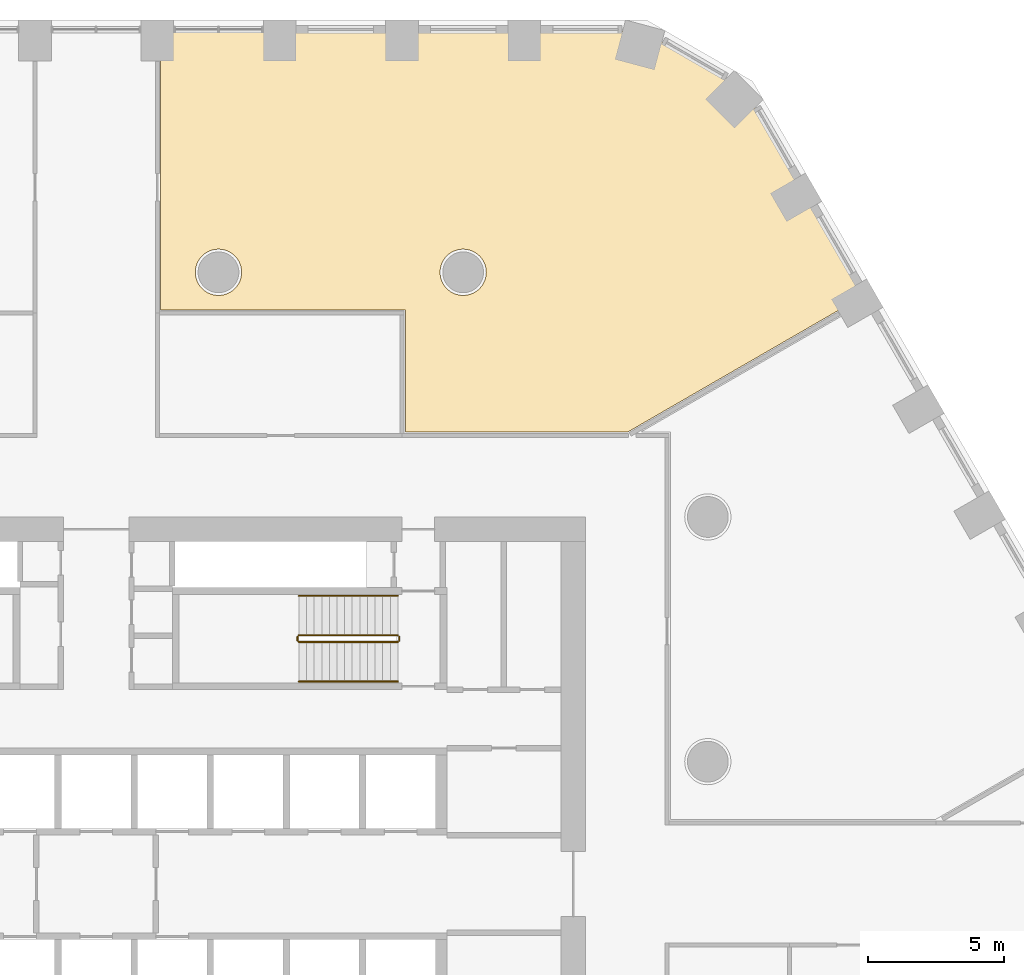
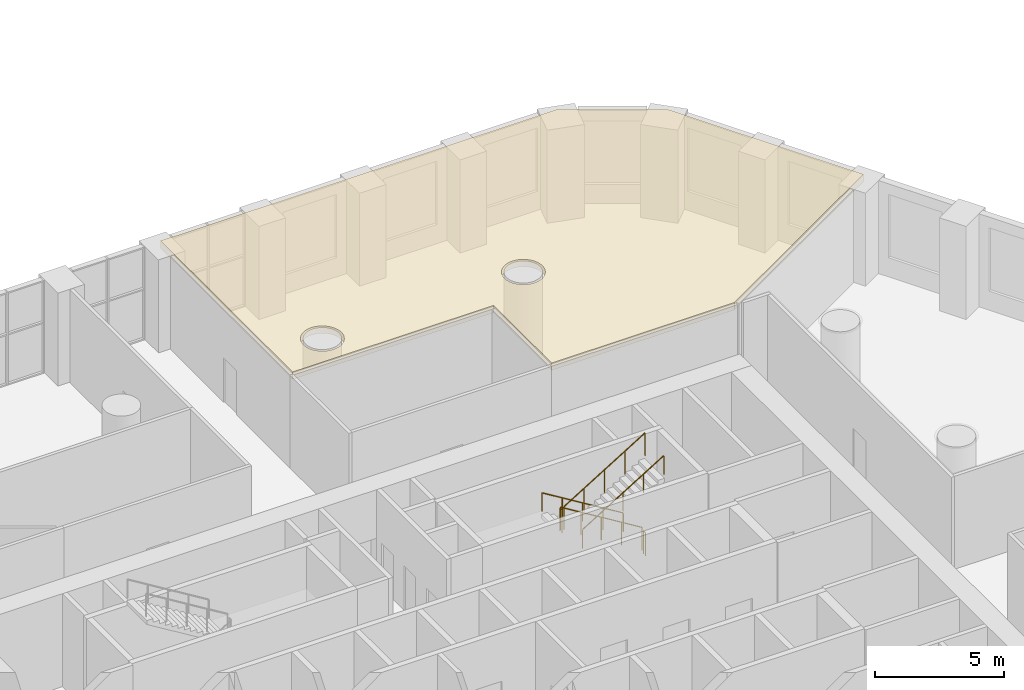
# One storey, part 21 of 26: 6 railings, 1 covering.
"""IFC4 building model written with IfcOpenShell, lengths in metres."""

from ifc_helpers import new_model, si_unit, direction, frame, origin, origin_2d, place, context, subcontext, project, spatial, polyline, circle, outline, extrude, material, layer, layer_set, type_object, element, save


model = new_model("IFC4")

# Units and contexts
model_context = context("Model", 3, precision=1e-05, world=origin(), true_north=direction((0.0, 1.0)))
body_context = subcontext(model_context, "Body", "Model", "MODEL_VIEW")
ifc_project = project(units=[si_unit("LENGTHUNIT", "METRE"), si_unit("AREAUNIT", "SQUARE_METRE"), si_unit("VOLUMEUNIT", "CUBIC_METRE"), si_unit("PLANEANGLEUNIT", "RADIAN"), si_unit("MASSUNIT", "GRAM", prefix="KILO")], contexts=[model_context])

# Site, building, storey
site_placement = place(None, origin())
site = spatial("IfcSite", under=ifc_project, at=site_placement, CompositionType="ELEMENT")
building_placement = place(site_placement, origin())
building = spatial("IfcBuilding", under=site, at=building_placement, Name="Dhurran Vertical Campus", CompositionType="ELEMENT")
storey_placement = place(building_placement, frame((0.0, 0.0, 15.60009765625)))
storey = spatial("IfcBuildingStorey", under=building, at=storey_placement, Name="L03", CompositionType="ELEMENT", Elevation=15.60009765625)

# Railings
ifc_material_1 = material(Name="Stainless steel balustrade", Category="steel")
railing_type_1 = type_object("IfcRailingType", Name="co-RL-GUARD-1100", PredefinedType="GUARDRAIL", material=ifc_material_1)
railing_1_placement = place(storey_placement, frame((11.10009765625, 9.14990234375, 0.17138671875)))
element("IfcRailing", 1, at=railing_1_placement, inside=storey, type_object=railing_type_1, Name="L03 ST2 stair guard 1", PredefinedType="GUARDRAIL", context=body_context, shape_type="SweptSolid", body=[
    extrude(circle(Radius=0.02392578125, at=origin_2d()), frame((0.0, 0.0, 1.076171875), z_axis=(-0.852865859571, 0.0, 0.52213008492), x_axis=(0.0, -1.0, 0.0)), (0.0, 0.0, 1.0), 4.26806640625),
    extrude(circle(Radius=0.02099609375, at=origin_2d()), origin(), (0.0, 0.0, 1.0), 1.052001953125),
    extrude(circle(Radius=0.02099609375, at=origin_2d()), frame((-0.91015625, 0.0, 0.55712890625)), (0.0, 0.0, 1.0), 1.052001953125),
    extrude(circle(Radius=0.02099609375, at=origin_2d()), frame((-1.820068359375, 0.0, 1.1142578125)), (0.0, 0.0, 1.0), 1.052001953125),
    extrude(circle(Radius=0.02099609375, at=origin_2d()), frame((-2.72998046875, 0.0, 1.67138671875)), (0.0, 0.0, 1.0), 1.052001953125),
    extrude(circle(Radius=0.02099609375, at=origin_2d()), frame((-3.64013671875, 0.0, 2.228515625)), (0.0, 0.0, 1.0), 1.052001953125),
])
railing_2_placement = place(storey_placement, frame((7.409912109375, 9.10009765625, 2.39990234375)))
element("IfcRailing", 2, at=railing_2_placement, inside=storey, type_object=railing_type_1, Name="L03 ST2 stair guard 2", PredefinedType="GUARDRAIL", context=body_context, shape_type="SweptSolid", body=[
    extrude(circle(Radius=0.02392578125, at=origin_2d()), frame((0.0, 0.0, 1.076171875), z_axis=(0.0, -1.0, 0.0), x_axis=(1.0, 0.0, 0.0)), (0.0, 0.0, 1.0), 0.150146484375),
    extrude(circle(Radius=0.02099609375, at=origin_2d()), origin(), (0.0, 0.0, 1.0), 1.052001953125),
    extrude(circle(Radius=0.02099609375, at=origin_2d()), frame((0.0, -0.150146484375, 0.0)), (0.0, 0.0, 1.0), 1.052001953125),
])
railing_3_placement = place(storey_placement, frame((7.4599609375, 8.89990234375, 2.5712890625)))
element("IfcRailing", 3, at=railing_3_placement, inside=storey, type_object=railing_type_1, Name="L03 ST2 stair guard 3", PredefinedType="GUARDRAIL", context=body_context, shape_type="SweptSolid", body=[
    extrude(circle(Radius=0.02392578125, at=origin_2d()), frame((0.0, 0.0, 1.076171875), z_axis=(0.852865859571, 0.0, 0.52213008492), x_axis=(0.0, 1.0, 0.0)), (0.0, 0.0, 1.0), 4.26806640625),
    extrude(circle(Radius=0.02099609375, at=origin_2d()), origin(), (0.0, 0.0, 1.0), 1.052001953125),
    extrude(circle(Radius=0.02099609375, at=origin_2d()), frame((0.91015625, 0.0, 0.55712890625)), (0.0, 0.0, 1.0), 1.052001953125),
    extrude(circle(Radius=0.02099609375, at=origin_2d()), frame((1.820068359375, 0.0, 1.1142578125)), (0.0, 0.0, 1.0), 1.052001953125),
    extrude(circle(Radius=0.02099609375, at=origin_2d()), frame((2.72998046875, 0.0, 1.67138671875)), (0.0, 0.0, 1.0), 1.052001953125),
    extrude(circle(Radius=0.02099609375, at=origin_2d()), frame((3.64013671875, 0.0, 2.228515625)), (0.0, 0.0, 1.0), 1.052001953125),
])
railing_4_placement = place(storey_placement, frame((11.14990234375, 9.10009765625, 0.0)))
element("IfcRailing", 4, at=railing_4_placement, inside=storey, type_object=railing_type_1, Name="L03 ST2 stair guard 4", PredefinedType="GUARDRAIL", context=body_context, shape_type="SweptSolid", body=[
    extrude(circle(Radius=0.02392578125, at=origin_2d()), frame((0.0, 0.0, 1.076171875), z_axis=(0.0, -1.0, 0.0), x_axis=(1.0, 0.0, 0.0)), (0.0, 0.0, 1.0), 0.150146484375),
    extrude(circle(Radius=0.02099609375, at=origin_2d()), origin(), (0.0, 0.0, 1.0), 1.052001953125),
    extrude(circle(Radius=0.02099609375, at=origin_2d()), frame((0.0, -0.150146484375, 0.0)), (0.0, 0.0, 1.0), 1.052001953125),
])
ifc_material_2 = material(Name="Stainless steel handrail", Category="steel")
railing_type_2 = type_object("IfcRailingType", Name="co-RL-HANDRAIL-900", PredefinedType="HANDRAIL", material=ifc_material_2)
railing_5_placement = place(storey_placement, frame((11.10009765625, 10.60009765625, 0.17138671875)))
element("IfcRailing", 5, at=railing_5_placement, inside=storey, type_object=railing_type_2, Name="L03 ST2 stair handrail 1", PredefinedType="HANDRAIL", context=body_context, shape_type="SweptSolid", body=[
    extrude(circle(Radius=0.02392578125, at=origin_2d()), frame((0.0, 0.0, 0.8759765625), z_axis=(-0.852865859571, 0.0, 0.52213008492), x_axis=(0.0, -1.0, 0.0)), (0.0, 0.0, 1.0), 4.26806640625),
    extrude(circle(Radius=0.02099609375, at=origin_2d()), origin(), (0.0, 0.0, 1.0), 0.851806640625),
    extrude(circle(Radius=0.02099609375, at=origin_2d()), frame((-0.91015625, 0.0, 0.55712890625)), (0.0, 0.0, 1.0), 0.851806640625),
    extrude(circle(Radius=0.02099609375, at=origin_2d()), frame((-1.820068359375, 0.0, 1.1142578125)), (0.0, 0.0, 1.0), 0.851806640625),
    extrude(circle(Radius=0.02099609375, at=origin_2d()), frame((-2.72998046875, 0.0, 1.67138671875)), (0.0, 0.0, 1.0), 0.851806640625),
    extrude(circle(Radius=0.02099609375, at=origin_2d()), frame((-3.64013671875, 0.0, 2.228515625)), (0.0, 0.0, 1.0), 0.851806640625),
])
railing_6_placement = place(storey_placement, frame((7.4599609375, 7.449951171875, 2.5712890625)))
element("IfcRailing", 6, at=railing_6_placement, inside=storey, type_object=railing_type_2, Name="L03 ST2 stair handrail 2", PredefinedType="HANDRAIL", context=body_context, shape_type="SweptSolid", body=[
    extrude(circle(Radius=0.02392578125, at=origin_2d()), frame((0.0, 0.0, 0.8759765625), z_axis=(0.852865859571, 0.0, 0.52213008492), x_axis=(0.0, 1.0, 0.0)), (0.0, 0.0, 1.0), 4.26806640625),
    extrude(circle(Radius=0.02099609375, at=origin_2d()), origin(), (0.0, 0.0, 1.0), 0.851806640625),
    extrude(circle(Radius=0.02099609375, at=origin_2d()), frame((0.91015625, 0.0, 0.55712890625)), (0.0, 0.0, 1.0), 0.851806640625),
    extrude(circle(Radius=0.02099609375, at=origin_2d()), frame((1.820068359375, 0.0, 1.1142578125)), (0.0, 0.0, 1.0), 0.851806640625),
    extrude(circle(Radius=0.02099609375, at=origin_2d()), frame((2.72998046875, 0.0, 1.67138671875)), (0.0, 0.0, 1.0), 0.851806640625),
    extrude(circle(Radius=0.02099609375, at=origin_2d()), frame((3.64013671875, 0.0, 2.228515625)), (0.0, 0.0, 1.0), 0.851806640625),
])

# Covering
ifc_material_3 = material(Name="Mineral fibre ceiling tiles on suspended grid")
ifc_layer = layer(ifc_material_3, 0.35009765625)
ifc_layer_set = layer_set([ifc_layer], Name="Mineral fibre ceiling tiles on suspended grid")
covering_type = type_object("IfcCoveringType", Name="fl-CE-350 suspended ceiling", PredefinedType="CEILING", material=ifc_layer_set)
covering_placement = place(storey_placement, frame((0.0, 0.0, 4.0498046875)))
element("IfcCovering", 7, at=covering_placement, inside=storey, type_object=covering_type, Name="Ceiling 03-15", PredefinedType="CEILING", context=body_context, shape_type="SweptSolid", body=[
    extrude(outline(polyline([(20.137939453125, 31.360107421875), (23.839111328125, 29.221923828125), (28.222900390625, 21.6298828125), (19.547119140625, 16.6201171875), (11.3701171875, 16.6201171875), (11.3701171875, 21.1201171875), (2.3701171875, 21.1201171875), (2.3701171875, 31.360107421875), (20.137939453125, 31.360107421875)]), holes=[polyline([(5.156982421875, 23.0390625), (5.10107421875, 23.10107421875), (5.0390625, 23.156982421875), (4.971923828125, 23.20703125), (4.90087890625, 23.25), (4.824951171875, 23.284912109375), (4.7470703125, 23.31298828125), (4.666015625, 23.333984375), (4.5830078125, 23.345947265625), (4.5, 23.35009765625), (4.4169921875, 23.345947265625), (4.333984375, 23.333984375), (4.2529296875, 23.31298828125), (4.175048828125, 23.284912109375), (4.09912109375, 23.25), (4.028076171875, 23.20703125), (3.9609375, 23.156982421875), (3.89892578125, 23.10107421875), (3.843017578125, 23.0390625), (3.79296875, 22.971923828125), (3.75, 22.90087890625), (3.715087890625, 22.824951171875), (3.68701171875, 22.7470703125), (3.666015625, 22.666015625), (3.654052734375, 22.5830078125), (3.64990234375, 22.5), (3.654052734375, 22.4169921875), (3.666015625, 22.333984375), (3.68701171875, 22.2529296875), (3.715087890625, 22.175048828125), (3.75, 22.09912109375), (3.79296875, 22.028076171875), (3.843017578125, 21.9609375), (3.89892578125, 21.89892578125), (3.9609375, 21.843017578125), (4.028076171875, 21.79296875), (4.09912109375, 21.75), (4.175048828125, 21.715087890625), (4.2529296875, 21.68701171875), (4.333984375, 21.666015625), (4.4169921875, 21.654052734375), (4.5, 21.64990234375), (4.5830078125, 21.654052734375), (4.666015625, 21.666015625), (4.7470703125, 21.68701171875), (4.824951171875, 21.715087890625), (4.90087890625, 21.75), (4.971923828125, 21.79296875), (5.0390625, 21.843017578125), (5.10107421875, 21.89892578125), (5.156982421875, 21.9609375), (5.20703125, 22.028076171875), (5.25, 22.09912109375), (5.284912109375, 22.175048828125), (5.31298828125, 22.2529296875), (5.333984375, 22.333984375), (5.345947265625, 22.4169921875), (5.35009765625, 22.5), (5.345947265625, 22.5830078125), (5.333984375, 22.666015625), (5.31298828125, 22.7470703125), (5.284912109375, 22.824951171875), (5.25, 22.90087890625), (5.20703125, 22.971923828125), (5.156982421875, 23.0390625)]), polyline([(14.25, 22.90087890625), (14.20703125, 22.971923828125), (14.156982421875, 23.0390625), (14.10107421875, 23.10107421875), (14.0390625, 23.156982421875), (13.971923828125, 23.20703125), (13.90087890625, 23.25), (13.824951171875, 23.284912109375), (13.7470703125, 23.31298828125), (13.666015625, 23.333984375), (13.5830078125, 23.345947265625), (13.5, 23.35009765625), (13.4169921875, 23.345947265625), (13.333984375, 23.333984375), (13.2529296875, 23.31298828125), (13.175048828125, 23.284912109375), (13.09912109375, 23.25), (13.028076171875, 23.20703125), (12.9609375, 23.156982421875), (12.89892578125, 23.10107421875), (12.843017578125, 23.0390625), (12.79296875, 22.971923828125), (12.75, 22.90087890625), (12.715087890625, 22.824951171875), (12.68701171875, 22.7470703125), (12.666015625, 22.666015625), (12.654052734375, 22.5830078125), (12.64990234375, 22.5), (12.654052734375, 22.4169921875), (12.666015625, 22.333984375), (12.68701171875, 22.2529296875), (12.715087890625, 22.175048828125), (12.75, 22.09912109375), (12.79296875, 22.028076171875), (12.843017578125, 21.9609375), (12.89892578125, 21.89892578125), (12.9609375, 21.843017578125), (13.028076171875, 21.79296875), (13.09912109375, 21.75), (13.175048828125, 21.715087890625), (13.2529296875, 21.68701171875), (13.333984375, 21.666015625), (13.4169921875, 21.654052734375), (13.5, 21.64990234375), (13.5830078125, 21.654052734375), (13.666015625, 21.666015625), (13.7470703125, 21.68701171875), (13.824951171875, 21.715087890625), (13.90087890625, 21.75), (13.971923828125, 21.79296875), (14.0390625, 21.843017578125), (14.10107421875, 21.89892578125), (14.156982421875, 21.9609375), (14.20703125, 22.028076171875), (14.25, 22.09912109375), (14.284912109375, 22.175048828125), (14.31298828125, 22.2529296875), (14.333984375, 22.333984375), (14.345947265625, 22.4169921875), (14.35009765625, 22.5), (14.345947265625, 22.5830078125), (14.333984375, 22.666015625), (14.31298828125, 22.7470703125), (14.284912109375, 22.824951171875), (14.25, 22.90087890625)])]), origin(), (0.0, 0.0, 1.0), 0.35009765625),
])

save(model, "model.ifc")
